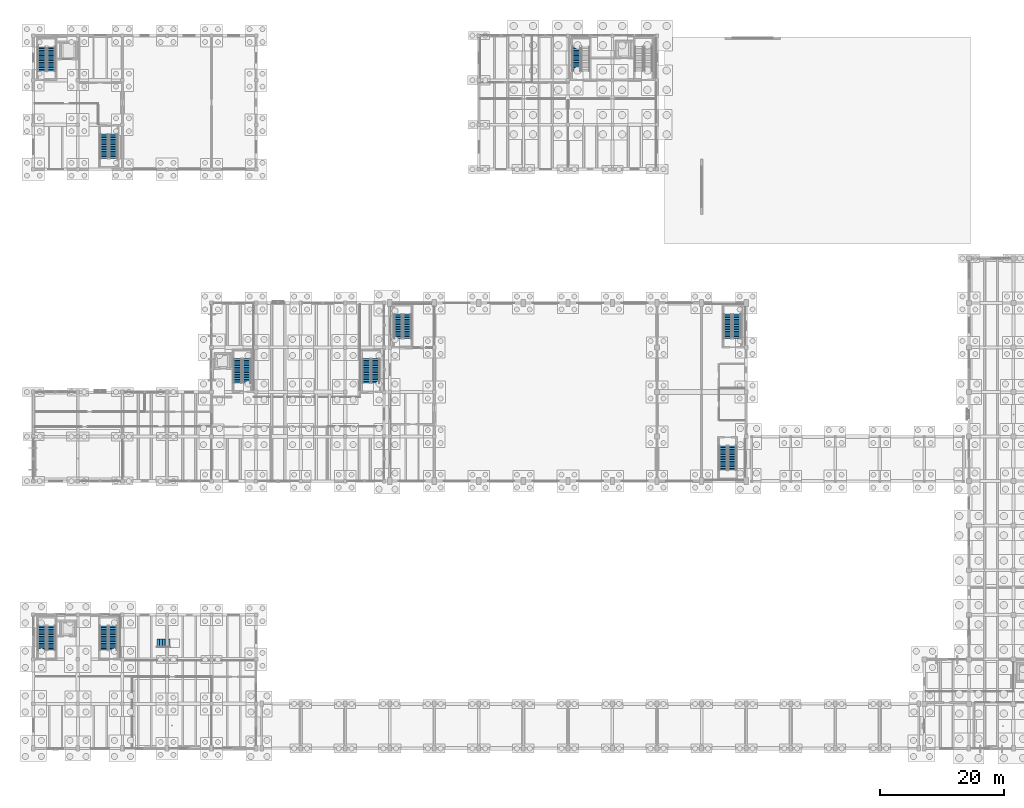
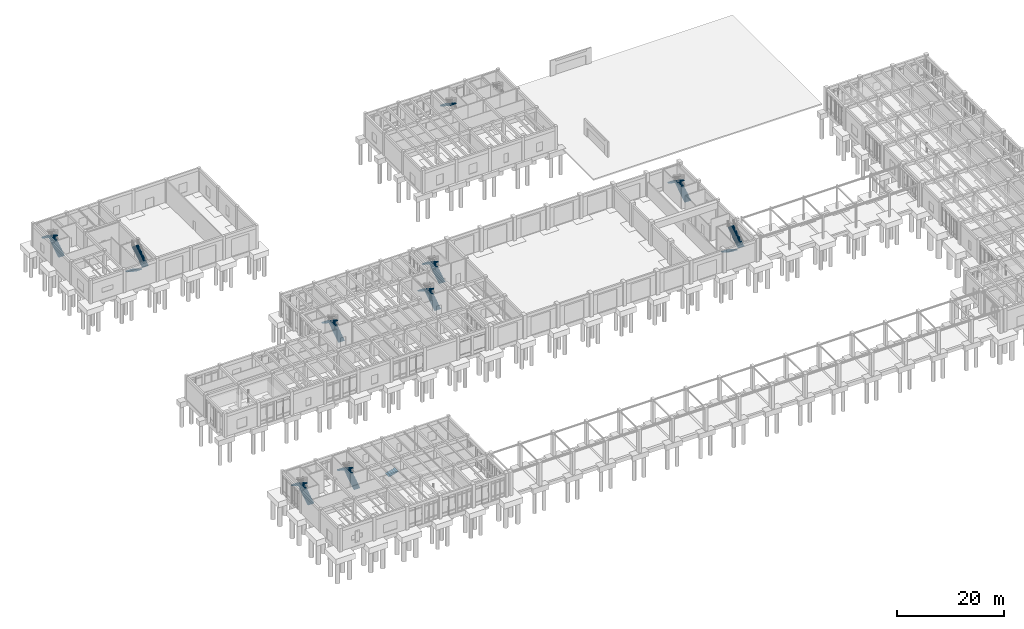
# One storey, part 73 of 93: 20 stair flights, 11 elements without a shape of their own.
"""IFC4 building model written with IfcOpenShell, lengths in metres."""

from ifc_helpers import new_model, si_unit, direction, frame, origin, place, context, subcontext, project, spatial, polyline, outline, extrude, material, type_object, element, aggregate, save


model = new_model("IFC4")

# Units and contexts
model_context = context("Model", 3, precision=1e-05, world=origin(), true_north=direction((0.0, 1.0)))
body_context = subcontext(model_context, "Body", "Model", "MODEL_VIEW")
ifc_project = project(units=[si_unit("LENGTHUNIT", "METRE"), si_unit("AREAUNIT", "SQUARE_METRE"), si_unit("VOLUMEUNIT", "CUBIC_METRE"), si_unit("PLANEANGLEUNIT", "RADIAN"), si_unit("MASSUNIT", "GRAM", prefix="KILO")], contexts=[model_context])

# Site, building, storey
site_placement = place(None, origin())
site = spatial("IfcSite", under=ifc_project, at=site_placement, CompositionType="ELEMENT")
building_placement = place(site_placement, origin())
building = spatial("IfcBuilding", under=site, at=building_placement, Name="Koriwan Promenade Central Fire Station", CompositionType="ELEMENT")
storey_placement = place(building_placement, origin())
storey = spatial("IfcBuildingStorey", under=building, at=storey_placement, Name="L00", CompositionType="ELEMENT", Elevation=0.0)

# Stair, stair flights
ifc_material = material(Name="Concrete C35/45", Category="concrete")
stair_type_1 = type_object("IfcStairType", Name="Stair_HALF_30R_1300", PredefinedType="HALF_TURN_STAIR", material=ifc_material)
stair_1_placement = place(storey_placement, origin())
stair_1 = element("IfcStair", 1, at=stair_1_placement, inside=storey, type_object=stair_type_1, Name="L00 Protected Stair ST03", PredefinedType="HALF_TURN_STAIR")
stair_flight_type_1 = type_object("IfcStairFlightType", Name="StairFlight_15R_180H_1300", PredefinedType="STRAIGHT", material=ifc_material)
stair_flight_1_placement = place(storey_placement, frame((111.5, 48.89990234375, 0.0), z_axis=(0.0, 0.0, 1.0), x_axis=(0.0, -1.0, 0.0)))
stair_flight_1 = element("IfcStairFlight", 2, at=stair_flight_1_placement, type_object=stair_flight_type_1, Name="ST03 flight 1", NumberOfRisers=15, NumberOfTreads=14, PredefinedType="STRAIGHT", RiserHeight=0.18, TreadLength=0.28, context=body_context, shape_type="SweptSolid", body=[
    extrude(outline(polyline([(0.0, 0.0), (0.0, 0.179931640625), (0.280029296875, 0.179931640625), (0.280029296875, 0.360107421875), (0.56005859375, 0.360107421875), (0.56005859375, 0.5400390625), (0.840087890625, 0.5400390625), (0.840087890625, 0.719970703125), (1.1201171875, 0.719970703125), (1.1201171875, 0.89990234375), (1.39990234375, 0.89990234375), (1.39990234375, 1.080078125), (1.679931640625, 1.080078125), (1.679931640625, 1.260009765625), (1.9599609375, 1.260009765625), (1.9599609375, 1.43994140625), (2.239990234375, 1.43994140625), (2.239990234375, 1.6201171875), (2.52001953125, 1.6201171875), (2.52001953125, 1.800048828125), (2.800048828125, 1.800048828125), (2.800048828125, 1.97998046875), (3.080078125, 1.97998046875), (3.080078125, 2.159912109375), (3.360107421875, 2.159912109375), (3.360107421875, 2.340087890625), (3.639892578125, 2.340087890625), (3.639892578125, 2.52001953125), (3.919921875, 2.52001953125), (3.919921875, 2.699951171875), (3.919921875, 2.341796875), (0.277099609375, 0.0), (0.0, 0.0)])), frame((0.0, 0.64990234375, 0.0), z_axis=(0.0, -1.0, 0.0), x_axis=(1.0, 0.0, 0.0)), (0.0, 0.0, 1.0), 1.300048828125),
])
stair_flight_2_placement = place(storey_placement, frame((112.949951171875, 44.97998046875, 2.699951171875), z_axis=(0.0, 0.0, 1.0), x_axis=(0.0, 1.0, 0.0)))
stair_flight_2 = element("IfcStairFlight", 3, at=stair_flight_2_placement, type_object=stair_flight_type_1, Name="ST03 flight 2", NumberOfRisers=15, NumberOfTreads=14, PredefinedType="STRAIGHT", RiserHeight=0.18, TreadLength=0.28, context=body_context, shape_type="SweptSolid", body=[
    extrude(outline(polyline([(0.0, 0.0), (0.0, 0.179931640625), (0.280029296875, 0.179931640625), (0.280029296875, 0.360107421875), (0.56005859375, 0.360107421875), (0.56005859375, 0.5400390625), (0.840087890625, 0.5400390625), (0.840087890625, 0.719970703125), (1.1201171875, 0.719970703125), (1.1201171875, 0.89990234375), (1.39990234375, 0.89990234375), (1.39990234375, 1.080078125), (1.679931640625, 1.080078125), (1.679931640625, 1.260009765625), (1.9599609375, 1.260009765625), (1.9599609375, 1.43994140625), (2.239990234375, 1.43994140625), (2.239990234375, 1.6201171875), (2.52001953125, 1.6201171875), (2.52001953125, 1.800048828125), (2.800048828125, 1.800048828125), (2.800048828125, 1.97998046875), (3.080078125, 1.97998046875), (3.080078125, 2.159912109375), (3.360107421875, 2.159912109375), (3.360107421875, 2.340087890625), (3.639892578125, 2.340087890625), (3.639892578125, 2.52001953125), (3.919921875, 2.52001953125), (3.919921875, 2.699951171875), (3.919921875, 2.341796875), (0.277099609375, 0.0), (0.0, 0.0)])), frame((0.0, 0.64990234375, 0.0), z_axis=(0.0, -1.0, 0.0), x_axis=(1.0, 0.0, 0.0)), (0.0, 0.0, 1.0), 1.300048828125),
])
aggregate(stair_1, [stair_flight_1, stair_flight_2])

stair_type_2 = type_object("IfcStairType", Name="Stair_HALF_30R_1310", PredefinedType="HALF_TURN_STAIR", material=ifc_material)
stair_2_placement = place(storey_placement, origin())
stair_2 = element("IfcStair", 4, at=stair_2_placement, inside=storey, type_object=stair_type_2, Name="L00 Protected Stair ST20", PredefinedType="HALF_TURN_STAIR")
stair_flight_type_2 = type_object("IfcStairFlightType", Name="StairFlight_15R_180H_1310", PredefinedType="STRAIGHT", material=ifc_material)
stair_flight_3_placement = place(storey_placement, frame((55.294921875, 59.06005859375, 0.0), z_axis=(0.0, 0.0, 1.0), x_axis=(0.0, 1.0, 0.0)))
stair_flight_3 = element("IfcStairFlight", 5, at=stair_flight_3_placement, type_object=stair_flight_type_2, Name="ST20 flight 1", NumberOfRisers=15, NumberOfTreads=14, PredefinedType="STRAIGHT", RiserHeight=0.18, TreadLength=0.28, context=body_context, shape_type="SweptSolid", body=[
    extrude(outline(polyline([(0.0, 0.0), (0.0, 0.179931640625), (0.280029296875, 0.179931640625), (0.280029296875, 0.360107421875), (0.56005859375, 0.360107421875), (0.56005859375, 0.5400390625), (0.840087890625, 0.5400390625), (0.840087890625, 0.719970703125), (1.1201171875, 0.719970703125), (1.1201171875, 0.89990234375), (1.39990234375, 0.89990234375), (1.39990234375, 1.080078125), (1.679931640625, 1.080078125), (1.679931640625, 1.260009765625), (1.9599609375, 1.260009765625), (1.9599609375, 1.43994140625), (2.239990234375, 1.43994140625), (2.239990234375, 1.6201171875), (2.52001953125, 1.6201171875), (2.52001953125, 1.800048828125), (2.800048828125, 1.800048828125), (2.800048828125, 1.97998046875), (3.080078125, 1.97998046875), (3.080078125, 2.159912109375), (3.360107421875, 2.159912109375), (3.360107421875, 2.340087890625), (3.639892578125, 2.340087890625), (3.639892578125, 2.52001953125), (3.919921875, 2.52001953125), (3.919921875, 2.699951171875), (3.919921875, 2.341796875), (0.277099609375, 0.0), (0.0, 0.0)])), frame((0.0, 0.655029296875, 0.0), z_axis=(0.0, -1.0, 0.0), x_axis=(1.0, 0.0, 0.0)), (0.0, 0.0, 1.0), 1.31005859375),
])
stair_flight_4_placement = place(storey_placement, frame((53.8349609375, 62.97998046875, 2.699951171875), z_axis=(0.0, 0.0, 1.0), x_axis=(0.0, -1.0, 0.0)))
stair_flight_4 = element("IfcStairFlight", 6, at=stair_flight_4_placement, type_object=stair_flight_type_2, Name="ST20 flight 2", NumberOfRisers=15, NumberOfTreads=14, PredefinedType="STRAIGHT", RiserHeight=0.18, TreadLength=0.28, context=body_context, shape_type="SweptSolid", body=[
    extrude(outline(polyline([(0.0, 0.0), (0.0, 0.179931640625), (0.280029296875, 0.179931640625), (0.280029296875, 0.360107421875), (0.56005859375, 0.360107421875), (0.56005859375, 0.5400390625), (0.840087890625, 0.5400390625), (0.840087890625, 0.719970703125), (1.1201171875, 0.719970703125), (1.1201171875, 0.89990234375), (1.39990234375, 0.89990234375), (1.39990234375, 1.080078125), (1.679931640625, 1.080078125), (1.679931640625, 1.260009765625), (1.9599609375, 1.260009765625), (1.9599609375, 1.43994140625), (2.239990234375, 1.43994140625), (2.239990234375, 1.6201171875), (2.52001953125, 1.6201171875), (2.52001953125, 1.800048828125), (2.800048828125, 1.800048828125), (2.800048828125, 1.97998046875), (3.080078125, 1.97998046875), (3.080078125, 2.159912109375), (3.360107421875, 2.159912109375), (3.360107421875, 2.340087890625), (3.639892578125, 2.340087890625), (3.639892578125, 2.52001953125), (3.919921875, 2.52001953125), (3.919921875, 2.699951171875), (3.919921875, 2.341796875), (0.277099609375, 0.0), (0.0, 0.0)])), frame((0.0, 0.655029296875, 0.0), z_axis=(0.0, -1.0, 0.0), x_axis=(1.0, 0.0, 0.0)), (0.0, 0.0, 1.0), 1.31005859375),
])
aggregate(stair_2, [stair_flight_3, stair_flight_4])

stair_type_3 = type_object("IfcStairType", Name="Stair_HALF_30R_1320", PredefinedType="HALF_TURN_STAIR", material=ifc_material)
stair_3_placement = place(storey_placement, origin())
stair_3 = element("IfcStair", 7, at=stair_3_placement, inside=storey, type_object=stair_type_3, Name="L00 Protected Stair ST01", PredefinedType="HALF_TURN_STAIR")
stair_flight_type_3 = type_object("IfcStairFlightType", Name="StairFlight_15R_180H_1320", PredefinedType="STRAIGHT", material=ifc_material)
stair_flight_5_placement = place(storey_placement, frame((60.43994140625, 66.27001953125, 0.0), z_axis=(0.0, 0.0, 1.0), x_axis=(0.0, 1.0, 0.0)))
stair_flight_5 = element("IfcStairFlight", 8, at=stair_flight_5_placement, type_object=stair_flight_type_3, Name="ST01 flight 1", NumberOfRisers=15, NumberOfTreads=14, PredefinedType="STRAIGHT", RiserHeight=0.18, TreadLength=0.28, context=body_context, shape_type="SweptSolid", body=[
    extrude(outline(polyline([(0.0, 0.0), (0.0, 0.179931640625), (0.280029296875, 0.179931640625), (0.280029296875, 0.360107421875), (0.56005859375, 0.360107421875), (0.56005859375, 0.5400390625), (0.840087890625, 0.5400390625), (0.840087890625, 0.719970703125), (1.1201171875, 0.719970703125), (1.1201171875, 0.89990234375), (1.39990234375, 0.89990234375), (1.39990234375, 1.080078125), (1.679931640625, 1.080078125), (1.679931640625, 1.260009765625), (1.9599609375, 1.260009765625), (1.9599609375, 1.43994140625), (2.239990234375, 1.43994140625), (2.239990234375, 1.6201171875), (2.52001953125, 1.6201171875), (2.52001953125, 1.800048828125), (2.800048828125, 1.800048828125), (2.800048828125, 1.97998046875), (3.080078125, 1.97998046875), (3.080078125, 2.159912109375), (3.360107421875, 2.159912109375), (3.360107421875, 2.340087890625), (3.639892578125, 2.340087890625), (3.639892578125, 2.52001953125), (3.919921875, 2.52001953125), (3.919921875, 2.699951171875), (3.919921875, 2.341796875), (0.277099609375, 0.0), (0.0, 0.0)])), frame((0.0, 0.66015625, 0.0), z_axis=(0.0, -1.0, 0.0), x_axis=(1.0, 0.0, 0.0)), (0.0, 0.0, 1.0), 1.320068359375),
])
stair_flight_6_placement = place(storey_placement, frame((58.969970703125, 70.18994140625, 2.699951171875), z_axis=(0.0, 0.0, 1.0), x_axis=(0.0, -1.0, 0.0)))
stair_flight_6 = element("IfcStairFlight", 9, at=stair_flight_6_placement, type_object=stair_flight_type_3, Name="ST01 flight 2", NumberOfRisers=15, NumberOfTreads=14, PredefinedType="STRAIGHT", RiserHeight=0.18, TreadLength=0.28, context=body_context, shape_type="SweptSolid", body=[
    extrude(outline(polyline([(0.0, 0.0), (0.0, 0.179931640625), (0.280029296875, 0.179931640625), (0.280029296875, 0.360107421875), (0.56005859375, 0.360107421875), (0.56005859375, 0.5400390625), (0.840087890625, 0.5400390625), (0.840087890625, 0.719970703125), (1.1201171875, 0.719970703125), (1.1201171875, 0.89990234375), (1.39990234375, 0.89990234375), (1.39990234375, 1.080078125), (1.679931640625, 1.080078125), (1.679931640625, 1.260009765625), (1.9599609375, 1.260009765625), (1.9599609375, 1.43994140625), (2.239990234375, 1.43994140625), (2.239990234375, 1.6201171875), (2.52001953125, 1.6201171875), (2.52001953125, 1.800048828125), (2.800048828125, 1.800048828125), (2.800048828125, 1.97998046875), (3.080078125, 1.97998046875), (3.080078125, 2.159912109375), (3.360107421875, 2.159912109375), (3.360107421875, 2.340087890625), (3.639892578125, 2.340087890625), (3.639892578125, 2.52001953125), (3.919921875, 2.52001953125), (3.919921875, 2.699951171875), (3.919921875, 2.341796875), (0.277099609375, 0.0), (0.0, 0.0)])), frame((0.0, 0.66015625, 0.0), z_axis=(0.0, -1.0, 0.0), x_axis=(1.0, 0.0, 0.0)), (0.0, 0.0, 1.0), 1.320068359375),
])
aggregate(stair_3, [stair_flight_5, stair_flight_6])

stair_4_placement = place(storey_placement, origin())
stair_4 = element("IfcStair", 10, at=stair_4_placement, inside=storey, type_object=stair_type_3, Name="L00 Protected Stair ST02", PredefinedType="HALF_TURN_STAIR")
stair_flight_7_placement = place(storey_placement, frame((113.68994140625, 66.27001953125, 0.0), z_axis=(0.0, 0.0, 1.0), x_axis=(0.0, 1.0, 0.0)))
stair_flight_7 = element("IfcStairFlight", 11, at=stair_flight_7_placement, type_object=stair_flight_type_3, Name="ST02 flight 1", NumberOfRisers=15, NumberOfTreads=14, PredefinedType="STRAIGHT", RiserHeight=0.18, TreadLength=0.28, context=body_context, shape_type="SweptSolid", body=[
    extrude(outline(polyline([(0.0, 0.0), (0.0, 0.179931640625), (0.280029296875, 0.179931640625), (0.280029296875, 0.360107421875), (0.56005859375, 0.360107421875), (0.56005859375, 0.5400390625), (0.840087890625, 0.5400390625), (0.840087890625, 0.719970703125), (1.1201171875, 0.719970703125), (1.1201171875, 0.89990234375), (1.39990234375, 0.89990234375), (1.39990234375, 1.080078125), (1.679931640625, 1.080078125), (1.679931640625, 1.260009765625), (1.9599609375, 1.260009765625), (1.9599609375, 1.43994140625), (2.239990234375, 1.43994140625), (2.239990234375, 1.6201171875), (2.52001953125, 1.6201171875), (2.52001953125, 1.800048828125), (2.800048828125, 1.800048828125), (2.800048828125, 1.97998046875), (3.080078125, 1.97998046875), (3.080078125, 2.159912109375), (3.360107421875, 2.159912109375), (3.360107421875, 2.340087890625), (3.639892578125, 2.340087890625), (3.639892578125, 2.52001953125), (3.919921875, 2.52001953125), (3.919921875, 2.699951171875), (3.919921875, 2.341796875), (0.277099609375, 0.0), (0.0, 0.0)])), frame((0.0, 0.66015625, 0.0), z_axis=(0.0, -1.0, 0.0), x_axis=(1.0, 0.0, 0.0)), (0.0, 0.0, 1.0), 1.320068359375),
])
stair_flight_8_placement = place(storey_placement, frame((112.219970703125, 70.18994140625, 2.699951171875), z_axis=(0.0, 0.0, 1.0), x_axis=(0.0, -1.0, 0.0)))
stair_flight_8 = element("IfcStairFlight", 12, at=stair_flight_8_placement, type_object=stair_flight_type_3, Name="ST02 flight 2", NumberOfRisers=15, NumberOfTreads=14, PredefinedType="STRAIGHT", RiserHeight=0.18, TreadLength=0.28, context=body_context, shape_type="SweptSolid", body=[
    extrude(outline(polyline([(0.0, 0.0), (0.0, 0.179931640625), (0.280029296875, 0.179931640625), (0.280029296875, 0.360107421875), (0.56005859375, 0.360107421875), (0.56005859375, 0.5400390625), (0.840087890625, 0.5400390625), (0.840087890625, 0.719970703125), (1.1201171875, 0.719970703125), (1.1201171875, 0.89990234375), (1.39990234375, 0.89990234375), (1.39990234375, 1.080078125), (1.679931640625, 1.080078125), (1.679931640625, 1.260009765625), (1.9599609375, 1.260009765625), (1.9599609375, 1.43994140625), (2.239990234375, 1.43994140625), (2.239990234375, 1.6201171875), (2.52001953125, 1.6201171875), (2.52001953125, 1.800048828125), (2.800048828125, 1.800048828125), (2.800048828125, 1.97998046875), (3.080078125, 1.97998046875), (3.080078125, 2.159912109375), (3.360107421875, 2.159912109375), (3.360107421875, 2.340087890625), (3.639892578125, 2.340087890625), (3.639892578125, 2.52001953125), (3.919921875, 2.52001953125), (3.919921875, 2.699951171875), (3.919921875, 2.341796875), (0.277099609375, 0.0), (0.0, 0.0)])), frame((0.0, 0.66015625, 0.0), z_axis=(0.0, -1.0, 0.0), x_axis=(1.0, 0.0, 0.0)), (0.0, 0.0, 1.0), 1.320068359375),
])
aggregate(stair_4, [stair_flight_7, stair_flight_8])

# Stair, stair flight
stair_5_placement = place(storey_placement, origin())
stair_5 = element("IfcStair", 13, at=stair_5_placement, inside=storey, type_object=stair_type_3, Name="L00 Protected Stair ST09", PredefinedType="HALF_TURN_STAIR")
stair_flight_9_placement = place(storey_placement, frame((87.77001953125, 113.389892578125, 2.699951171875), z_axis=(0.0, 0.0, 1.0), x_axis=(0.0, -1.0, 0.0)))
stair_flight_9 = element("IfcStairFlight", 14, at=stair_flight_9_placement, type_object=stair_flight_type_3, Name="ST09 flight 2", NumberOfRisers=15, NumberOfTreads=14, PredefinedType="STRAIGHT", RiserHeight=0.18, TreadLength=0.28, context=body_context, shape_type="SweptSolid", body=[
    extrude(outline(polyline([(0.0, 0.0), (0.0, 0.179931640625), (0.280029296875, 0.179931640625), (0.280029296875, 0.360107421875), (0.56005859375, 0.360107421875), (0.56005859375, 0.5400390625), (0.840087890625, 0.5400390625), (0.840087890625, 0.719970703125), (1.1201171875, 0.719970703125), (1.1201171875, 0.89990234375), (1.39990234375, 0.89990234375), (1.39990234375, 1.080078125), (1.679931640625, 1.080078125), (1.679931640625, 1.260009765625), (1.9599609375, 1.260009765625), (1.9599609375, 1.43994140625), (2.239990234375, 1.43994140625), (2.239990234375, 1.6201171875), (2.52001953125, 1.6201171875), (2.52001953125, 1.800048828125), (2.800048828125, 1.800048828125), (2.800048828125, 1.97998046875), (3.080078125, 1.97998046875), (3.080078125, 2.159912109375), (3.360107421875, 2.159912109375), (3.360107421875, 2.340087890625), (3.639892578125, 2.340087890625), (3.639892578125, 2.52001953125), (3.919921875, 2.52001953125), (3.919921875, 2.699951171875), (3.919921875, 2.341796875), (0.277099609375, 0.0), (0.0, 0.0)])), frame((0.0, 0.66015625, 0.0), z_axis=(0.0, -1.0, 0.0), x_axis=(1.0, 0.0, 0.0)), (0.0, 0.0, 1.0), 1.320068359375),
])
aggregate(stair_5, [stair_flight_9])

# Stair, stair flights
stair_6_placement = place(storey_placement, origin())
stair_6 = element("IfcStair", 15, at=stair_6_placement, inside=storey, type_object=stair_type_3, Name="L00 Protected Stair ST14", PredefinedType="HALF_TURN_STAIR")
stair_flight_10_placement = place(storey_placement, frame((2.889892578125, 15.8701171875, 0.0), z_axis=(0.0, 0.0, 1.0), x_axis=(0.0, 1.0, 0.0)))
stair_flight_10 = element("IfcStairFlight", 16, at=stair_flight_10_placement, type_object=stair_flight_type_3, Name="ST14 flight 1", NumberOfRisers=15, NumberOfTreads=14, PredefinedType="STRAIGHT", RiserHeight=0.18, TreadLength=0.28, context=body_context, shape_type="SweptSolid", body=[
    extrude(outline(polyline([(0.0, 0.0), (0.0, 0.179931640625), (0.280029296875, 0.179931640625), (0.280029296875, 0.360107421875), (0.56005859375, 0.360107421875), (0.56005859375, 0.5400390625), (0.840087890625, 0.5400390625), (0.840087890625, 0.719970703125), (1.1201171875, 0.719970703125), (1.1201171875, 0.89990234375), (1.39990234375, 0.89990234375), (1.39990234375, 1.080078125), (1.679931640625, 1.080078125), (1.679931640625, 1.260009765625), (1.9599609375, 1.260009765625), (1.9599609375, 1.43994140625), (2.239990234375, 1.43994140625), (2.239990234375, 1.6201171875), (2.52001953125, 1.6201171875), (2.52001953125, 1.800048828125), (2.800048828125, 1.800048828125), (2.800048828125, 1.97998046875), (3.080078125, 1.97998046875), (3.080078125, 2.159912109375), (3.360107421875, 2.159912109375), (3.360107421875, 2.340087890625), (3.639892578125, 2.340087890625), (3.639892578125, 2.52001953125), (3.919921875, 2.52001953125), (3.919921875, 2.699951171875), (3.919921875, 2.341796875), (0.277099609375, 0.0), (0.0, 0.0)])), frame((0.0, 0.66015625, 0.0), z_axis=(0.0, -1.0, 0.0), x_axis=(1.0, 0.0, 0.0)), (0.0, 0.0, 1.0), 1.320068359375),
])
stair_flight_11_placement = place(storey_placement, frame((1.419921875, 19.7900390625, 2.699951171875), z_axis=(0.0, 0.0, 1.0), x_axis=(0.0, -1.0, 0.0)))
stair_flight_11 = element("IfcStairFlight", 17, at=stair_flight_11_placement, type_object=stair_flight_type_3, Name="ST14 flight 2", NumberOfRisers=15, NumberOfTreads=14, PredefinedType="STRAIGHT", RiserHeight=0.18, TreadLength=0.28, context=body_context, shape_type="SweptSolid", body=[
    extrude(outline(polyline([(0.0, 0.0), (0.0, 0.179931640625), (0.280029296875, 0.179931640625), (0.280029296875, 0.360107421875), (0.56005859375, 0.360107421875), (0.56005859375, 0.5400390625), (0.840087890625, 0.5400390625), (0.840087890625, 0.719970703125), (1.1201171875, 0.719970703125), (1.1201171875, 0.89990234375), (1.39990234375, 0.89990234375), (1.39990234375, 1.080078125), (1.679931640625, 1.080078125), (1.679931640625, 1.260009765625), (1.9599609375, 1.260009765625), (1.9599609375, 1.43994140625), (2.239990234375, 1.43994140625), (2.239990234375, 1.6201171875), (2.52001953125, 1.6201171875), (2.52001953125, 1.800048828125), (2.800048828125, 1.800048828125), (2.800048828125, 1.97998046875), (3.080078125, 1.97998046875), (3.080078125, 2.159912109375), (3.360107421875, 2.159912109375), (3.360107421875, 2.340087890625), (3.639892578125, 2.340087890625), (3.639892578125, 2.52001953125), (3.919921875, 2.52001953125), (3.919921875, 2.699951171875), (3.919921875, 2.341796875), (0.277099609375, 0.0), (0.0, 0.0)])), frame((0.0, 0.66015625, 0.0), z_axis=(0.0, -1.0, 0.0), x_axis=(1.0, 0.0, 0.0)), (0.0, 0.0, 1.0), 1.320068359375),
])
aggregate(stair_6, [stair_flight_10, stair_flight_11])

stair_7_placement = place(storey_placement, origin())
stair_7 = element("IfcStair", 18, at=stair_7_placement, inside=storey, type_object=stair_type_3, Name="L00 Protected Stair ST16", PredefinedType="HALF_TURN_STAIR")
stair_flight_12_placement = place(storey_placement, frame((12.889892578125, 15.8701171875, 0.0), z_axis=(0.0, 0.0, 1.0), x_axis=(0.0, 1.0, 0.0)))
stair_flight_12 = element("IfcStairFlight", 19, at=stair_flight_12_placement, type_object=stair_flight_type_3, Name="ST16 flight 1", NumberOfRisers=15, NumberOfTreads=14, PredefinedType="STRAIGHT", RiserHeight=0.18, TreadLength=0.28, context=body_context, shape_type="SweptSolid", body=[
    extrude(outline(polyline([(0.0, 0.0), (0.0, 0.179931640625), (0.280029296875, 0.179931640625), (0.280029296875, 0.360107421875), (0.56005859375, 0.360107421875), (0.56005859375, 0.5400390625), (0.840087890625, 0.5400390625), (0.840087890625, 0.719970703125), (1.1201171875, 0.719970703125), (1.1201171875, 0.89990234375), (1.39990234375, 0.89990234375), (1.39990234375, 1.080078125), (1.679931640625, 1.080078125), (1.679931640625, 1.260009765625), (1.9599609375, 1.260009765625), (1.9599609375, 1.43994140625), (2.239990234375, 1.43994140625), (2.239990234375, 1.6201171875), (2.52001953125, 1.6201171875), (2.52001953125, 1.800048828125), (2.800048828125, 1.800048828125), (2.800048828125, 1.97998046875), (3.080078125, 1.97998046875), (3.080078125, 2.159912109375), (3.360107421875, 2.159912109375), (3.360107421875, 2.340087890625), (3.639892578125, 2.340087890625), (3.639892578125, 2.52001953125), (3.919921875, 2.52001953125), (3.919921875, 2.699951171875), (3.919921875, 2.341796875), (0.277099609375, 0.0), (0.0, 0.0)])), frame((0.0, 0.66015625, 0.0), z_axis=(0.0, -1.0, 0.0), x_axis=(1.0, 0.0, 0.0)), (0.0, 0.0, 1.0), 1.320068359375),
])
stair_flight_13_placement = place(storey_placement, frame((11.419921875, 19.7900390625, 2.699951171875), z_axis=(0.0, 0.0, 1.0), x_axis=(0.0, -1.0, 0.0)))
stair_flight_13 = element("IfcStairFlight", 20, at=stair_flight_13_placement, type_object=stair_flight_type_3, Name="ST16 flight 2", NumberOfRisers=15, NumberOfTreads=14, PredefinedType="STRAIGHT", RiserHeight=0.18, TreadLength=0.28, context=body_context, shape_type="SweptSolid", body=[
    extrude(outline(polyline([(0.0, 0.0), (0.0, 0.179931640625), (0.280029296875, 0.179931640625), (0.280029296875, 0.360107421875), (0.56005859375, 0.360107421875), (0.56005859375, 0.5400390625), (0.840087890625, 0.5400390625), (0.840087890625, 0.719970703125), (1.1201171875, 0.719970703125), (1.1201171875, 0.89990234375), (1.39990234375, 0.89990234375), (1.39990234375, 1.080078125), (1.679931640625, 1.080078125), (1.679931640625, 1.260009765625), (1.9599609375, 1.260009765625), (1.9599609375, 1.43994140625), (2.239990234375, 1.43994140625), (2.239990234375, 1.6201171875), (2.52001953125, 1.6201171875), (2.52001953125, 1.800048828125), (2.800048828125, 1.800048828125), (2.800048828125, 1.97998046875), (3.080078125, 1.97998046875), (3.080078125, 2.159912109375), (3.360107421875, 2.159912109375), (3.360107421875, 2.340087890625), (3.639892578125, 2.340087890625), (3.639892578125, 2.52001953125), (3.919921875, 2.52001953125), (3.919921875, 2.699951171875), (3.919921875, 2.341796875), (0.277099609375, 0.0), (0.0, 0.0)])), frame((0.0, 0.66015625, 0.0), z_axis=(0.0, -1.0, 0.0), x_axis=(1.0, 0.0, 0.0)), (0.0, 0.0, 1.0), 1.320068359375),
])
aggregate(stair_7, [stair_flight_12, stair_flight_13])

stair_8_placement = place(storey_placement, origin())
stair_8 = element("IfcStair", 21, at=stair_8_placement, inside=storey, type_object=stair_type_3, Name="L00 Protected Stair ST18", PredefinedType="HALF_TURN_STAIR")
stair_flight_14_placement = place(storey_placement, frame((34.489990234375, 59.070068359375, 0.0), z_axis=(0.0, 0.0, 1.0), x_axis=(0.0, 1.0, 0.0)))
stair_flight_14 = element("IfcStairFlight", 22, at=stair_flight_14_placement, type_object=stair_flight_type_3, Name="ST18 flight 1", NumberOfRisers=15, NumberOfTreads=14, PredefinedType="STRAIGHT", RiserHeight=0.18, TreadLength=0.28, context=body_context, shape_type="SweptSolid", body=[
    extrude(outline(polyline([(0.0, 0.0), (0.0, 0.179931640625), (0.280029296875, 0.179931640625), (0.280029296875, 0.360107421875), (0.56005859375, 0.360107421875), (0.56005859375, 0.5400390625), (0.840087890625, 0.5400390625), (0.840087890625, 0.719970703125), (1.1201171875, 0.719970703125), (1.1201171875, 0.89990234375), (1.39990234375, 0.89990234375), (1.39990234375, 1.080078125), (1.679931640625, 1.080078125), (1.679931640625, 1.260009765625), (1.9599609375, 1.260009765625), (1.9599609375, 1.43994140625), (2.239990234375, 1.43994140625), (2.239990234375, 1.6201171875), (2.52001953125, 1.6201171875), (2.52001953125, 1.800048828125), (2.800048828125, 1.800048828125), (2.800048828125, 1.97998046875), (3.080078125, 1.97998046875), (3.080078125, 2.159912109375), (3.360107421875, 2.159912109375), (3.360107421875, 2.340087890625), (3.639892578125, 2.340087890625), (3.639892578125, 2.52001953125), (3.919921875, 2.52001953125), (3.919921875, 2.699951171875), (3.919921875, 2.341796875), (0.277099609375, 0.0), (0.0, 0.0)])), frame((0.0, 0.66015625, 0.0), z_axis=(0.0, -1.0, 0.0), x_axis=(1.0, 0.0, 0.0)), (0.0, 0.0, 1.0), 1.320068359375),
])
stair_flight_15_placement = place(storey_placement, frame((33.02001953125, 62.989990234375, 2.699951171875), z_axis=(0.0, 0.0, 1.0), x_axis=(0.0, -1.0, 0.0)))
stair_flight_15 = element("IfcStairFlight", 23, at=stair_flight_15_placement, type_object=stair_flight_type_3, Name="ST18 flight 2", NumberOfRisers=15, NumberOfTreads=14, PredefinedType="STRAIGHT", RiserHeight=0.18, TreadLength=0.28, context=body_context, shape_type="SweptSolid", body=[
    extrude(outline(polyline([(0.0, 0.0), (0.0, 0.179931640625), (0.280029296875, 0.179931640625), (0.280029296875, 0.360107421875), (0.56005859375, 0.360107421875), (0.56005859375, 0.5400390625), (0.840087890625, 0.5400390625), (0.840087890625, 0.719970703125), (1.1201171875, 0.719970703125), (1.1201171875, 0.89990234375), (1.39990234375, 0.89990234375), (1.39990234375, 1.080078125), (1.679931640625, 1.080078125), (1.679931640625, 1.260009765625), (1.9599609375, 1.260009765625), (1.9599609375, 1.43994140625), (2.239990234375, 1.43994140625), (2.239990234375, 1.6201171875), (2.52001953125, 1.6201171875), (2.52001953125, 1.800048828125), (2.800048828125, 1.800048828125), (2.800048828125, 1.97998046875), (3.080078125, 1.97998046875), (3.080078125, 2.159912109375), (3.360107421875, 2.159912109375), (3.360107421875, 2.340087890625), (3.639892578125, 2.340087890625), (3.639892578125, 2.52001953125), (3.919921875, 2.52001953125), (3.919921875, 2.699951171875), (3.919921875, 2.341796875), (0.277099609375, 0.0), (0.0, 0.0)])), frame((0.0, 0.66015625, 0.0), z_axis=(0.0, -1.0, 0.0), x_axis=(1.0, 0.0, 0.0)), (0.0, 0.0, 1.0), 1.320068359375),
])
aggregate(stair_8, [stair_flight_14, stair_flight_15])

stair_9_placement = place(storey_placement, origin())
stair_9 = element("IfcStair", 24, at=stair_9_placement, inside=storey, type_object=stair_type_3, Name="L00 Protected Stair ST32", PredefinedType="HALF_TURN_STAIR")
stair_flight_16_placement = place(storey_placement, frame((2.889892578125, 109.469970703125, 0.0), z_axis=(0.0, 0.0, 1.0), x_axis=(0.0, 1.0, 0.0)))
stair_flight_16 = element("IfcStairFlight", 25, at=stair_flight_16_placement, type_object=stair_flight_type_3, Name="ST32 flight 1", NumberOfRisers=15, NumberOfTreads=14, PredefinedType="STRAIGHT", RiserHeight=0.18, TreadLength=0.28, context=body_context, shape_type="SweptSolid", body=[
    extrude(outline(polyline([(0.0, 0.0), (0.0, 0.179931640625), (0.280029296875, 0.179931640625), (0.280029296875, 0.360107421875), (0.56005859375, 0.360107421875), (0.56005859375, 0.5400390625), (0.840087890625, 0.5400390625), (0.840087890625, 0.719970703125), (1.1201171875, 0.719970703125), (1.1201171875, 0.89990234375), (1.39990234375, 0.89990234375), (1.39990234375, 1.080078125), (1.679931640625, 1.080078125), (1.679931640625, 1.260009765625), (1.9599609375, 1.260009765625), (1.9599609375, 1.43994140625), (2.239990234375, 1.43994140625), (2.239990234375, 1.6201171875), (2.52001953125, 1.6201171875), (2.52001953125, 1.800048828125), (2.800048828125, 1.800048828125), (2.800048828125, 1.97998046875), (3.080078125, 1.97998046875), (3.080078125, 2.159912109375), (3.360107421875, 2.159912109375), (3.360107421875, 2.340087890625), (3.639892578125, 2.340087890625), (3.639892578125, 2.52001953125), (3.919921875, 2.52001953125), (3.919921875, 2.699951171875), (3.919921875, 2.341796875), (0.277099609375, 0.0), (0.0, 0.0)])), frame((0.0, 0.66015625, 0.0), z_axis=(0.0, -1.0, 0.0), x_axis=(1.0, 0.0, 0.0)), (0.0, 0.0, 1.0), 1.320068359375),
])
stair_flight_17_placement = place(storey_placement, frame((1.419921875, 113.389892578125, 2.699951171875), z_axis=(0.0, 0.0, 1.0), x_axis=(0.0, -1.0, 0.0)))
stair_flight_17 = element("IfcStairFlight", 26, at=stair_flight_17_placement, type_object=stair_flight_type_3, Name="ST32 flight 2", NumberOfRisers=15, NumberOfTreads=14, PredefinedType="STRAIGHT", RiserHeight=0.18, TreadLength=0.28, context=body_context, shape_type="SweptSolid", body=[
    extrude(outline(polyline([(0.0, 0.0), (0.0, 0.179931640625), (0.280029296875, 0.179931640625), (0.280029296875, 0.360107421875), (0.56005859375, 0.360107421875), (0.56005859375, 0.5400390625), (0.840087890625, 0.5400390625), (0.840087890625, 0.719970703125), (1.1201171875, 0.719970703125), (1.1201171875, 0.89990234375), (1.39990234375, 0.89990234375), (1.39990234375, 1.080078125), (1.679931640625, 1.080078125), (1.679931640625, 1.260009765625), (1.9599609375, 1.260009765625), (1.9599609375, 1.43994140625), (2.239990234375, 1.43994140625), (2.239990234375, 1.6201171875), (2.52001953125, 1.6201171875), (2.52001953125, 1.800048828125), (2.800048828125, 1.800048828125), (2.800048828125, 1.97998046875), (3.080078125, 1.97998046875), (3.080078125, 2.159912109375), (3.360107421875, 2.159912109375), (3.360107421875, 2.340087890625), (3.639892578125, 2.340087890625), (3.639892578125, 2.52001953125), (3.919921875, 2.52001953125), (3.919921875, 2.699951171875), (3.919921875, 2.341796875), (0.277099609375, 0.0), (0.0, 0.0)])), frame((0.0, 0.66015625, 0.0), z_axis=(0.0, -1.0, 0.0), x_axis=(1.0, 0.0, 0.0)), (0.0, 0.0, 1.0), 1.320068359375),
])
aggregate(stair_9, [stair_flight_16, stair_flight_17])

stair_10_placement = place(storey_placement, origin())
stair_10 = element("IfcStair", 27, at=stair_10_placement, inside=storey, type_object=stair_type_3, Name="L00 Protected Stair ST33", PredefinedType="HALF_TURN_STAIR")
stair_flight_18_placement = place(storey_placement, frame((11.469970703125, 99.280029296875, 0.0), z_axis=(0.0, 0.0, 1.0), x_axis=(0.0, -1.0, 0.0)))
stair_flight_18 = element("IfcStairFlight", 28, at=stair_flight_18_placement, type_object=stair_flight_type_3, Name="ST33 flight 1", NumberOfRisers=15, NumberOfTreads=14, PredefinedType="STRAIGHT", RiserHeight=0.18, TreadLength=0.28, context=body_context, shape_type="SweptSolid", body=[
    extrude(outline(polyline([(0.0, 0.0), (0.0, 0.179931640625), (0.280029296875, 0.179931640625), (0.280029296875, 0.360107421875), (0.56005859375, 0.360107421875), (0.56005859375, 0.5400390625), (0.840087890625, 0.5400390625), (0.840087890625, 0.719970703125), (1.1201171875, 0.719970703125), (1.1201171875, 0.89990234375), (1.39990234375, 0.89990234375), (1.39990234375, 1.080078125), (1.679931640625, 1.080078125), (1.679931640625, 1.260009765625), (1.9599609375, 1.260009765625), (1.9599609375, 1.43994140625), (2.239990234375, 1.43994140625), (2.239990234375, 1.6201171875), (2.52001953125, 1.6201171875), (2.52001953125, 1.800048828125), (2.800048828125, 1.800048828125), (2.800048828125, 1.97998046875), (3.080078125, 1.97998046875), (3.080078125, 2.159912109375), (3.360107421875, 2.159912109375), (3.360107421875, 2.340087890625), (3.639892578125, 2.340087890625), (3.639892578125, 2.52001953125), (3.919921875, 2.52001953125), (3.919921875, 2.699951171875), (3.919921875, 2.341796875), (0.277099609375, 0.0), (0.0, 0.0)])), frame((0.0, 0.66015625, 0.0), z_axis=(0.0, -1.0, 0.0), x_axis=(1.0, 0.0, 0.0)), (0.0, 0.0, 1.0), 1.320068359375),
])
stair_flight_19_placement = place(storey_placement, frame((12.93994140625, 95.360107421875, 2.699951171875), z_axis=(0.0, 0.0, 1.0), x_axis=(0.0, 1.0, 0.0)))
stair_flight_19 = element("IfcStairFlight", 29, at=stair_flight_19_placement, type_object=stair_flight_type_3, Name="ST33 flight 2", NumberOfRisers=15, NumberOfTreads=14, PredefinedType="STRAIGHT", RiserHeight=0.18, TreadLength=0.28, context=body_context, shape_type="SweptSolid", body=[
    extrude(outline(polyline([(0.0, 0.0), (0.0, 0.179931640625), (0.280029296875, 0.179931640625), (0.280029296875, 0.360107421875), (0.56005859375, 0.360107421875), (0.56005859375, 0.5400390625), (0.840087890625, 0.5400390625), (0.840087890625, 0.719970703125), (1.1201171875, 0.719970703125), (1.1201171875, 0.89990234375), (1.39990234375, 0.89990234375), (1.39990234375, 1.080078125), (1.679931640625, 1.080078125), (1.679931640625, 1.260009765625), (1.9599609375, 1.260009765625), (1.9599609375, 1.43994140625), (2.239990234375, 1.43994140625), (2.239990234375, 1.6201171875), (2.52001953125, 1.6201171875), (2.52001953125, 1.800048828125), (2.800048828125, 1.800048828125), (2.800048828125, 1.97998046875), (3.080078125, 1.97998046875), (3.080078125, 2.159912109375), (3.360107421875, 2.159912109375), (3.360107421875, 2.340087890625), (3.639892578125, 2.340087890625), (3.639892578125, 2.52001953125), (3.919921875, 2.52001953125), (3.919921875, 2.699951171875), (3.919921875, 2.341796875), (0.277099609375, 0.0), (0.0, 0.0)])), frame((0.0, 0.66015625, 0.0), z_axis=(0.0, -1.0, 0.0), x_axis=(1.0, 0.0, 0.0)), (0.0, 0.0, 1.0), 1.320068359375),
])
aggregate(stair_10, [stair_flight_18, stair_flight_19])

# Stair, stair flight
stair_type_4 = type_object("IfcStairType", Name="StraightPlatformStair_6R", PredefinedType="STRAIGHT_RUN_STAIR", material=ifc_material)
stair_11_placement = place(storey_placement, origin())
stair_11 = element("IfcStair", 30, at=stair_11_placement, inside=storey, type_object=stair_type_4, Name="L00 speaker dais stair SPS-02", PredefinedType="STRAIGHT_RUN_STAIR")
stair_flight_type_4 = type_object("IfcStairFlightType", Name="StraightPlatformFlight_6R", PredefinedType="STRAIGHT", material=ifc_material)
stair_flight_20_placement = place(storey_placement, frame((20.0, 17.0, 0.0), z_axis=(0.0, 0.0, 1.0), x_axis=(1.0, 0.0, 0.0)))
stair_flight_20 = element("IfcStairFlight", 31, at=stair_flight_20_placement, type_object=stair_flight_type_4, Name="SPS-02 flight 1", NumberOfRisers=6, NumberOfTreads=5, PredefinedType="STRAIGHT", RiserHeight=0.125, TreadLength=0.42, context=body_context, shape_type="SweptSolid", body=[
    extrude(outline(polyline([(0.0, 0.0), (0.0, 0.125), (0.419921875, 0.125), (0.419921875, 0.25), (0.840087890625, 0.25), (0.840087890625, 0.375), (1.260009765625, 0.375), (1.260009765625, 0.5), (1.679931640625, 0.5), (1.679931640625, 0.625), (2.10009765625, 0.625), (2.10009765625, 0.75), (2.10009765625, 0.458251953125), (0.560546875, 0.0), (0.0, 0.0)])), frame((0.0, 0.66015625, 0.0), z_axis=(0.0, -1.0, 0.0), x_axis=(1.0, 0.0, 0.0)), (0.0, 0.0, 1.0), 1.320068359375),
])
aggregate(stair_11, [stair_flight_20])

save(model, "model.ifc")
